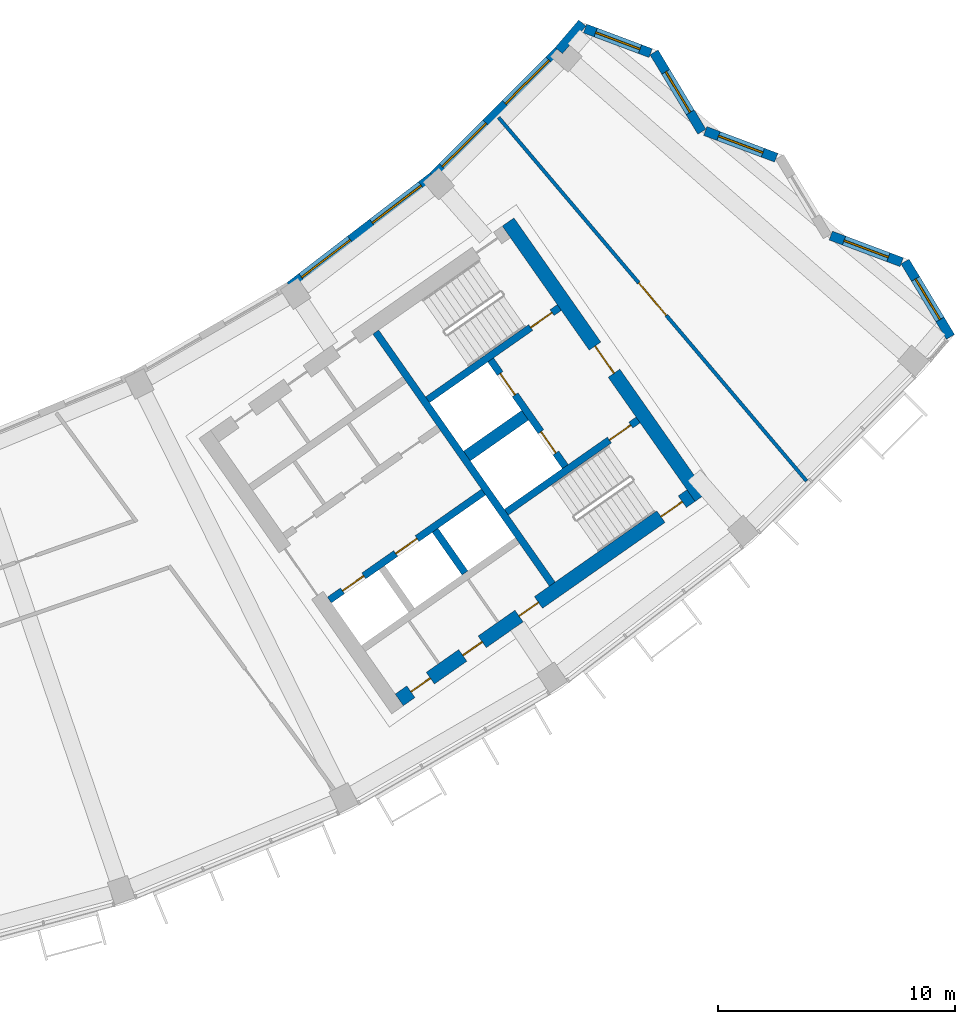
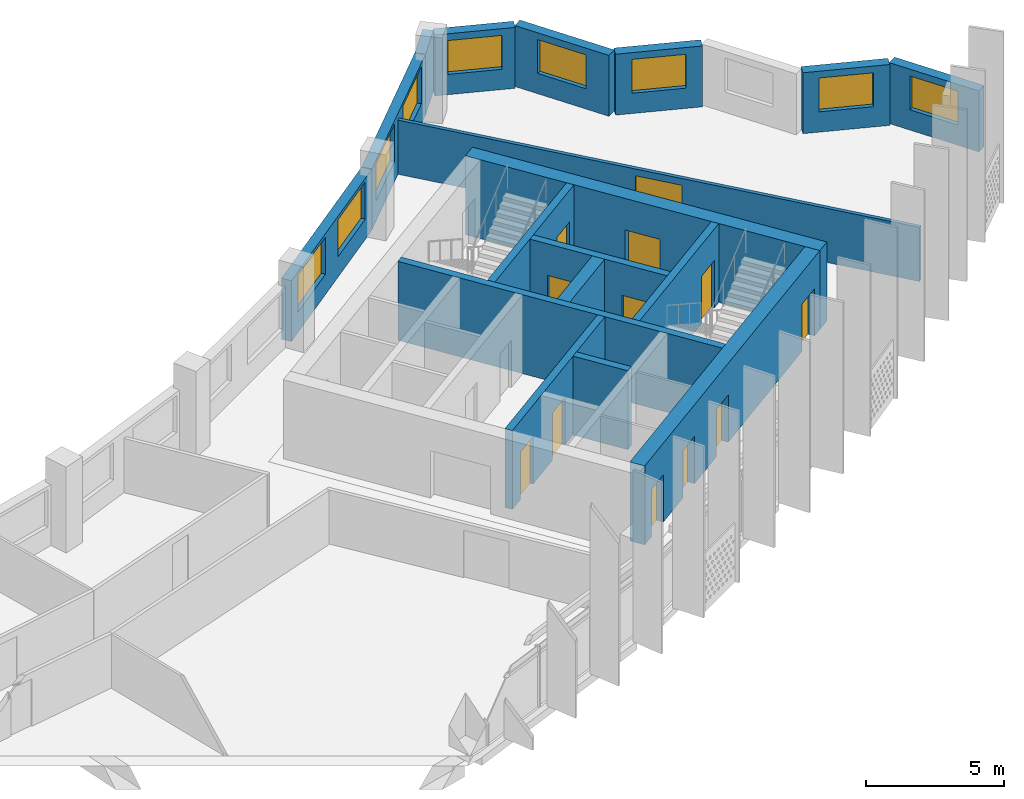
# One storey, part 7 of 28: 18 walls, 12 doors, 9 windows, 21 openings.
"""IFC4 building model written with IfcOpenShell, lengths in metres."""

import ifcopenshell
import ifcopenshell.guid

model = None  # the IFC model being written
_history = None  # IfcOwnerHistory: only IFC2X3 demands one
_inside = {}  # id of a spatial element -> (the spatial element, [elements in it])
_under = {}  # id of a project, library or spatial element -> (it, [spatial elements below it])
_declared = {}  # id of a project -> (the project, [libraries it declares])
_typed = {}  # id of a type object -> (the type object, [elements of that type])
_made_of = {}  # id of a material, layer set ... -> (it, [elements and type objects made of it])


def new_model(schema):
    """Start an empty IFC model of exactly this schema.

    Asked for "IFC4X3", IfcOpenShell would pick the latest addendum, in which some entities
    have other attributes; the version numbers below select the first issue.
    IFC2X3 requires an IfcOwnerHistory on every rooted entity: one is made here for all.
    """
    global model, _history
    if schema == "IFC4X3":
        model = ifcopenshell.file(schema_version=(4, 3, 0, 0))
    else:
        model = ifcopenshell.file(schema=schema)
    _inside.clear()
    _under.clear()
    _declared.clear()
    _typed.clear()
    _made_of.clear()
    _history = None
    if model.schema == "IFC2X3":
        org = make("IfcOrganization", Name="unknown")
        user = make(
            "IfcPersonAndOrganization",
            ThePerson=make("IfcPerson", FamilyName="unknown"),
            TheOrganization=org,
        )
        app = make(
            "IfcApplication",
            ApplicationDeveloper=org,
            Version="unknown",
            ApplicationFullName="unknown",
            ApplicationIdentifier="unknown",
        )
        _history = make(
            "IfcOwnerHistory",
            OwningUser=user,
            OwningApplication=app,
            ChangeAction="ADDED",
            CreationDate=0,
        )
    return model


def make(cls, **values):
    """One entity of the class cls with the attributes given. An attribute that is None is left unset."""
    return model.create_entity(
        cls, **{name: value for name, value in values.items() if value is not None}
    )


def rooted(cls, **values):
    """An entity with a GlobalId (a new one), such as an element, a storey or a relation."""
    return make(cls, GlobalId=ifcopenshell.guid.new(), OwnerHistory=_history, **values)


def si_unit(unit_type, name, prefix=None):
    """IfcSIUnit, for example si_unit("LENGTHUNIT", "METRE", prefix="MILLI")."""
    return make("IfcSIUnit", UnitType=unit_type, Prefix=prefix, Name=name)


def assignment(units):
    """IfcUnitAssignment: the units of a project."""
    return None if units is None else make("IfcUnitAssignment", Units=units)


def point(xyz):
    """IfcCartesianPoint."""
    return None if xyz is None else make("IfcCartesianPoint", Coordinates=xyz)


def direction(xyz):
    """IfcDirection."""
    return None if xyz is None else make("IfcDirection", DirectionRatios=xyz)


def frame(location, z_axis=None, x_axis=None):
    """IfcAxis2Placement3D, a coordinate frame: its origin and axes. An axis left out is left unset."""
    return make(
        "IfcAxis2Placement3D",
        Location=point(location),
        Axis=direction(z_axis),
        RefDirection=direction(x_axis),
    )


def frame_2d(location, x_axis=None):
    """IfcAxis2Placement2D, a coordinate frame in the plane: its origin and x axis."""
    return make(
        "IfcAxis2Placement2D", Location=point(location), RefDirection=direction(x_axis)
    )


def origin():
    """The frame at (0, 0, 0) with its axes left unset."""
    return frame((0.0, 0.0, 0.0))


def place(relative_to, where):
    """IfcLocalPlacement: puts the frame where relative to a parent placement (None: the world)."""
    return make(
        "IfcLocalPlacement", PlacementRelTo=relative_to, RelativePlacement=where
    )


def context(
    kind, dimensions, precision=None, world=None, true_north=None, identifier=None
):
    """IfcGeometricRepresentationContext, for example the 3D "Model" context."""
    return make(
        "IfcGeometricRepresentationContext",
        ContextIdentifier=identifier,
        ContextType=kind,
        CoordinateSpaceDimension=dimensions,
        Precision=precision,
        WorldCoordinateSystem=world,
        TrueNorth=true_north,
    )


def subcontext(parent, identifier, kind, view, scale=None):
    """IfcGeometricRepresentationSubContext, for example "Body" below "Model"."""
    return make(
        "IfcGeometricRepresentationSubContext",
        ContextIdentifier=identifier,
        ContextType=kind,
        ParentContext=parent,
        TargetScale=scale,
        TargetView=view,
    )


def project(units=None, contexts=None):
    """IfcProject with its units and contexts."""
    return rooted(
        "IfcProject",
        Name="project",
        RepresentationContexts=contexts,
        UnitsInContext=assignment(units),
    )


def spatial(cls, under=None, at=None, **own):
    """A site, building, storey or space (cls), placed at a placement, below another one or the project."""
    s = rooted(cls, ObjectPlacement=at, **own)
    if under is not None:
        _under.setdefault(under.id(), (under, []))[1].append(s)
    return s


def profile(cls, at=None, kind="AREA", **sizes):
    """A parametric profile (cls). Its sizes go by their IFC names, for example OverallWidth=200.0."""
    return make(cls, ProfileType=kind, Position=at, **sizes)


def rectangle(**sizes):
    """IfcRectangleProfileDef."""
    return profile("IfcRectangleProfileDef", **sizes)


def extrude(swept, where, along, depth):
    """IfcExtrudedAreaSolid: the profile swept, set in the frame where, extruded along a direction by depth."""
    return make(
        "IfcExtrudedAreaSolid",
        SweptArea=swept,
        Position=where,
        ExtrudedDirection=direction(along),
        Depth=depth,
    )


def shape(context_of_items, identifier, shape_type, items):
    """IfcShapeRepresentation: the items that make up one representation, for example the "Body"."""
    return make(
        "IfcShapeRepresentation",
        ContextOfItems=context_of_items,
        RepresentationIdentifier=identifier,
        RepresentationType=shape_type,
        Items=items,
    )


def material(Name=None, Category=None):
    """IfcMaterial."""
    return make("IfcMaterial", Name=Name, Category=Category)


def layer(
    of_material, thickness, ventilated=None, Name=None, Category=None, Priority=None
):
    """IfcMaterialLayer: one layer of a wall or slab, of a material (None: an air gap)."""
    return make(
        "IfcMaterialLayer",
        Material=of_material,
        LayerThickness=thickness,
        IsVentilated=ventilated,
        Name=Name,
        Category=Category,
        Priority=Priority,
    )


def layer_set(layers, Name=None):
    """IfcMaterialLayerSet."""
    return make("IfcMaterialLayerSet", MaterialLayers=layers, LayerSetName=Name)


def made_of(thing, what):
    """Note that an element or type object is made of a material, layer set ...; save() writes the relation."""
    if what is not None:
        _made_of.setdefault(what.id(), (what, []))[1].append(thing)
    return thing


def type_object(cls, material=None, **own):
    """A type object (cls), such as IfcWallType, which elements share."""
    return made_of(rooted(cls, **own), material)


def element(
    cls,
    number,
    at=None,
    inside=None,
    cuts=None,
    type_object=None,
    material=None,
    context=None,
    identifier="Body",
    shape_type=None,
    held_by="IfcProductDefinitionShape",
    body=None,
    shapes=None,
    **own,
):
    """One element of the class cls, such as IfcWall. Its Tag is "e" and its number.

    at: its placement. inside: the storey or other place that contains it. cuts: it is an
    opening in that element (IfcRelVoidsElement). A single representation is given by context,
    identifier, shape_type and body (its items); several are given by shapes. held_by: the class
    of the entity that holds the representations. save() writes the other relations.
    """
    e = rooted(cls, Tag="e%d" % number, ObjectPlacement=at, **own)
    if body is not None:
        shapes = [shape(context, identifier, shape_type, body)]
    if shapes is not None:
        e.Representation = make(held_by, Representations=shapes)
    if inside is not None:
        _inside.setdefault(inside.id(), (inside, []))[1].append(e)
    if cuts is not None:
        rooted(
            "IfcRelVoidsElement", RelatingBuildingElement=cuts, RelatedOpeningElement=e
        )
    if type_object is not None:
        _typed.setdefault(type_object.id(), (type_object, []))[1].append(e)
    return made_of(e, material)


def fill(opening, filler):
    """IfcRelFillsElement: the door or window that sits in an opening."""
    return rooted(
        "IfcRelFillsElement",
        RelatingOpeningElement=opening,
        RelatedBuildingElement=filler,
    )


def aggregate(whole, parts):
    """IfcRelAggregates: a whole, such as a stair, and the parts it consists of."""
    return rooted("IfcRelAggregates", RelatingObject=whole, RelatedObjects=parts)


def save(model, path):
    """Write the relations noted so far, then the file.

    IfcRelAggregates (storeys below a building ...), IfcRelContainedInSpatialStructure (elements
    in a storey), IfcRelDefinesByType, IfcRelAssociatesMaterial and IfcRelDeclares: one each for
    every whole, place, type object, material and project.
    """
    for whole, parts in _under.values():
        aggregate(whole, parts)
    for where, things in _inside.values():
        rooted(
            "IfcRelContainedInSpatialStructure",
            RelatedElements=things,
            RelatingStructure=where,
        )
    for kind, things in _typed.values():
        rooted("IfcRelDefinesByType", RelatedObjects=things, RelatingType=kind)
    for what, things in _made_of.values():
        rooted("IfcRelAssociatesMaterial", RelatedObjects=things, RelatingMaterial=what)
    for by, libraries in _declared.values():
        rooted("IfcRelDeclares", RelatingContext=by, RelatedDefinitions=libraries)
    model.write(path)


model = new_model("IFC4")

# Units and contexts
model_context = context("Model", 3, precision=1e-05, world=origin(), true_north=direction((0.0, 1.0)))
body_context = subcontext(model_context, "Body", "Model", "MODEL_VIEW")
ifc_project = project(units=[si_unit("LENGTHUNIT", "METRE"), si_unit("AREAUNIT", "SQUARE_METRE"), si_unit("VOLUMEUNIT", "CUBIC_METRE"), si_unit("PLANEANGLEUNIT", "RADIAN"), si_unit("MASSUNIT", "GRAM", prefix="KILO")], contexts=[model_context])

# Site, building, storey
site_placement = place(None, origin())
site = spatial("IfcSite", under=ifc_project, at=site_placement, CompositionType="ELEMENT")
building_placement = place(site_placement, origin())
building = spatial("IfcBuilding", under=site, at=building_placement, Name="Qamariyya Broadcast Tower", CompositionType="ELEMENT")
storey_placement = place(building_placement, frame((0.0, 0.0, 265.699951171875)))
storey = spatial("IfcBuildingStorey", under=building, at=storey_placement, Name="L64", CompositionType="ELEMENT", Elevation=265.699951171875)

# Wall, opening, door
ifc_material_1 = material(Name="Concrete C60/75", Category="concrete")
ifc_layer_1 = layer(ifc_material_1, 0.60009765625)
ifc_layer_set_1 = layer_set([ifc_layer_1], Name="Core wall 600 mm Concrete C60/75")
wall_type_1 = type_object("IfcWallType", Name="Core wall 600 mm Concrete C60/75", PredefinedType="SHEAR", material=ifc_layer_set_1)
wall_1_placement = place(storey_placement, frame((49.4833984375, -57.031494140625, 0.0), z_axis=(0.0, 0.0, 1.0), x_axis=(-0.573560421458, 0.819163257805, 0.0)))
wall_1 = element("IfcWall", 1, at=wall_1_placement, inside=storey, type_object=wall_type_1, Name="k-E-L64-WH", PredefinedType="SHEAR", context=body_context, shape_type="SweptSolid", body=[
    extrude(rectangle(XDim=14.199951171875, YDim=0.60009765625, at=frame_2d((7.10009765625, 0.0))), origin(), (0.0, 0.0, 1.0), 3.5),
])
opening_1_placement = place(wall_1_placement, frame((6.39990234375, 0.0, 0.0)))
opening_1 = element("IfcOpeningElement", 2, at=opening_1_placement, cuts=wall_1, Name="Opening KD2-E1", PredefinedType="OPENING", context=body_context, shape_type="SweptSolid", body=[
    extrude(rectangle(XDim=1.39990234375, YDim=2.10009765625, at=frame_2d((0.699951171875, 1.050048828125))), frame((0.0, 0.31005859375, 0.0), z_axis=(0.0, -1.0, 0.0), x_axis=(1.0, 0.0, 0.0)), (0.0, 0.0, 1.0), 0.6201171875),
])
ifc_material_2 = material(Name="Steel fire-resisting door leaf", Category="steel")
door_type_1 = type_object("IfcDoorType", Name="Fire-fighting lobby door KD2", OperationType="DOUBLE_DOOR_SINGLE_SWING", PredefinedType="DOOR", material=ifc_material_2)
door_1_placement = place(opening_1_placement, origin())
door_1 = element("IfcDoor", 3, at=door_1_placement, inside=storey, type_object=door_type_1, Name="k-E-L64-WH-D15", OperationType="DOUBLE_DOOR_SINGLE_SWING", OverallHeight=2.10009765625, OverallWidth=1.39990234375, PredefinedType="DOOR", context=body_context, shape_type="SweptSolid", body=[
    extrude(rectangle(XDim=1.39990234375, YDim=2.10009765625, at=frame_2d((0.699951171875, 1.050048828125))), frame((0.0, 0.02490234375, 0.0), z_axis=(0.0, -1.0, 0.0), x_axis=(1.0, 0.0, 0.0)), (0.0, 0.0, 1.0), 0.050048828125),
])
fill(opening_1, door_1)

# Wall, openings, doors
wall_2_placement = place(storey_placement, frame((36.7412109375, -65.58740234375, 0.0), z_axis=(0.0, 0.0, 1.0), x_axis=(0.819153391756, 0.573574511963, 0.0)))
wall_2 = element("IfcWall", 4, at=wall_2_placement, inside=storey, type_object=wall_type_1, Name="k-E-L64-WO", PredefinedType="SHEAR", context=body_context, shape_type="SweptSolid", body=[
    extrude(rectangle(XDim=15.04541015625, YDim=0.60009765625, at=frame_2d((7.522705078125, 0.0))), origin(), (0.0, 0.0, 1.0), 3.5),
])
opening_2_placement = place(wall_2_placement, frame((0.60009765625, 0.0, 0.0)))
opening_2 = element("IfcOpeningElement", 5, at=opening_2_placement, cuts=wall_2, Name="Opening KD4-E2", PredefinedType="OPENING", context=body_context, shape_type="SweptSolid", body=[
    extrude(rectangle(XDim=1.0, YDim=2.10009765625, at=frame_2d((0.5, 1.050048828125))), frame((0.0, 0.31005859375, 0.0), z_axis=(0.0, -1.0, 0.0), x_axis=(1.0, 0.0, 0.0)), (0.0, 0.0, 1.0), 0.6201171875),
])
opening_3_placement = place(wall_2_placement, frame((3.27490234375, 0.0, 0.0)))
opening_3 = element("IfcOpeningElement", 6, at=opening_3_placement, cuts=wall_2, Name="Opening KD4-E3", PredefinedType="OPENING", context=body_context, shape_type="SweptSolid", body=[
    extrude(rectangle(XDim=1.0, YDim=2.10009765625, at=frame_2d((0.5, 1.050048828125))), frame((0.0, 0.31005859375, 0.0), z_axis=(0.0, -1.0, 0.0), x_axis=(1.0, 0.0, 0.0)), (0.0, 0.0, 1.0), 0.6201171875),
])
opening_4_placement = place(wall_2_placement, frame((6.175048828125, 0.0, 0.0)))
opening_4 = element("IfcOpeningElement", 7, at=opening_4_placement, cuts=wall_2, Name="Opening KD4-E4", PredefinedType="OPENING", context=body_context, shape_type="SweptSolid", body=[
    extrude(rectangle(XDim=1.0, YDim=2.10009765625, at=frame_2d((0.5, 1.050048828125))), frame((0.0, 0.31005859375, 0.0), z_axis=(0.0, -1.0, 0.0), x_axis=(1.0, 0.0, 0.0)), (0.0, 0.0, 1.0), 0.6201171875),
])
opening_5_placement = place(wall_2_placement, frame((13.495361328125, 0.0, 0.0)))
opening_5 = element("IfcOpeningElement", 8, at=opening_5_placement, cuts=wall_2, Name="Opening KD1-E3", PredefinedType="OPENING", context=body_context, shape_type="SweptSolid", body=[
    extrude(rectangle(XDim=1.10009765625, YDim=2.10009765625, at=frame_2d((0.550048828125, 1.050048828125))), frame((0.0, 0.31005859375, 0.0), z_axis=(0.0, -1.0, 0.0), x_axis=(1.0, 0.0, 0.0)), (0.0, 0.0, 1.0), 0.6201171875),
])
door_type_2 = type_object("IfcDoorType", Name="Riser and plant door KD4", OperationType="SINGLE_SWING_LEFT", PredefinedType="DOOR", material=ifc_material_2)
door_2_placement = place(opening_2_placement, origin())
door_2 = element("IfcDoor", 9, at=door_2_placement, inside=storey, type_object=door_type_2, Name="k-E-L64-WO-D10", OperationType="SINGLE_SWING_RIGHT", OverallHeight=2.10009765625, OverallWidth=1.0, PredefinedType="DOOR", context=body_context, shape_type="SweptSolid", body=[
    extrude(rectangle(XDim=1.0, YDim=2.10009765625, at=frame_2d((0.5, 1.050048828125))), frame((0.0, 0.02490234375, 0.0), z_axis=(0.0, -1.0, 0.0), x_axis=(1.0, 0.0, 0.0)), (0.0, 0.0, 1.0), 0.050048828125),
])
fill(opening_2, door_2)
door_3_placement = place(opening_3_placement, origin())
door_3 = element("IfcDoor", 10, at=door_3_placement, inside=storey, type_object=door_type_2, Name="k-E-L64-WO-D11", OperationType="SINGLE_SWING_LEFT", OverallHeight=2.10009765625, OverallWidth=1.0, PredefinedType="DOOR", context=body_context, shape_type="SweptSolid", body=[
    extrude(rectangle(XDim=1.0, YDim=2.10009765625, at=frame_2d((0.5, 1.050048828125))), frame((0.0, 0.02490234375, 0.0), z_axis=(0.0, -1.0, 0.0), x_axis=(1.0, 0.0, 0.0)), (0.0, 0.0, 1.0), 0.050048828125),
])
fill(opening_3, door_3)
door_4_placement = place(opening_4_placement, origin())
door_4 = element("IfcDoor", 11, at=door_4_placement, inside=storey, type_object=door_type_2, Name="k-E-L64-WO-D12", OperationType="SINGLE_SWING_RIGHT", OverallHeight=2.10009765625, OverallWidth=1.0, PredefinedType="DOOR", context=body_context, shape_type="SweptSolid", body=[
    extrude(rectangle(XDim=1.0, YDim=2.10009765625, at=frame_2d((0.5, 1.050048828125))), frame((0.0, 0.02490234375, 0.0), z_axis=(0.0, -1.0, 0.0), x_axis=(1.0, 0.0, 0.0)), (0.0, 0.0, 1.0), 0.050048828125),
])
fill(opening_4, door_4)
door_type_3 = type_object("IfcDoorType", Name="Stair door KD1", OperationType="SINGLE_SWING_LEFT", PredefinedType="DOOR", material=ifc_material_2)
door_5_placement = place(opening_5_placement, origin())
door_5 = element("IfcDoor", 12, at=door_5_placement, inside=storey, type_object=door_type_3, Name="k-E-L64-WO-D18", OperationType="SINGLE_SWING_LEFT", OverallHeight=2.10009765625, OverallWidth=1.10009765625, PredefinedType="DOOR", context=body_context, shape_type="SweptSolid", body=[
    extrude(rectangle(XDim=1.10009765625, YDim=2.10009765625, at=frame_2d((0.550048828125, 1.050048828125))), frame((0.0, 0.02490234375, 0.0), z_axis=(0.0, -1.0, 0.0), x_axis=(1.0, 0.0, 0.0)), (0.0, 0.0, 1.0), 0.050048828125),
])
fill(opening_5, door_5)

# Wall, opening, door
ifc_material_3 = material(Name="Gypsum board partition")
ifc_layer_2 = layer(ifc_material_3, 0.14990234375)
ifc_layer_set_2 = layer_set([ifc_layer_2], Name="Corridor partition 150 EI 60")
wall_type_2 = type_object("IfcWallType", Name="Corridor partition 150 EI 60", PredefinedType="PARTITIONING", material=ifc_layer_set_2)
wall_3_placement = place(storey_placement, frame((40.93603515625, -40.982666015625, 0.0), z_axis=(0.0, 0.0, 1.0), x_axis=(0.646426079671, -0.76297662056, 0.0)))
wall_3 = element("IfcWall", 13, at=wall_3_placement, inside=storey, type_object=wall_type_2, Name="Partition L64-030", PredefinedType="PARTITIONING", context=body_context, shape_type="SweptSolid", body=[
    extrude(rectangle(XDim=20.1259765625, YDim=0.14990234375, at=frame_2d((10.06298828125, 0.0))), origin(), (0.0, 0.0, 1.0), 2.400146484375),
])
opening_6_placement = place(wall_3_placement, frame((9.1630859375, 0.0, 0.0)))
opening_6 = element("IfcOpeningElement", 14, at=opening_6_placement, cuts=wall_3, Name="Opening L64-D15", PredefinedType="OPENING", context=body_context, shape_type="SweptSolid", body=[
    extrude(rectangle(XDim=1.800048828125, YDim=2.10009765625, at=frame_2d((0.89990234375, 1.050048828125))), frame((0.0, 0.0849609375, 0.0), z_axis=(0.0, -1.0, 0.0), x_axis=(1.0, 0.0, 0.0)), (0.0, 0.0, 1.0), 0.169921875),
])
ifc_material_4 = material(Name="Timber fire door leaf", Category="wood")
door_type_4 = type_object("IfcDoorType", Name="Double fire door 1800 x 2100 FD60", OperationType="NOTDEFINED", PredefinedType="DOOR", material=ifc_material_4)
door_6_placement = place(opening_6_placement, origin())
door_6 = element("IfcDoor", 15, at=door_6_placement, inside=storey, type_object=door_type_4, Name="Door L64-D15", OperationType="DOUBLE_DOOR_SINGLE_SWING", OverallHeight=2.10009765625, OverallWidth=1.800048828125, PredefinedType="DOOR", context=body_context, shape_type="SweptSolid", body=[
    extrude(rectangle(XDim=1.800048828125, YDim=2.10009765625, at=frame_2d((0.89990234375, 1.050048828125))), frame((0.0, 0.02490234375, 0.0), z_axis=(0.0, -1.0, 0.0), x_axis=(1.0, 0.0, 0.0)), (0.0, 0.0, 1.0), 0.050048828125),
])
fill(opening_6, door_6)

# Walls
ifc_layer_3 = layer(ifc_material_1, 0.5)
ifc_layer_set_3 = layer_set([ifc_layer_3], Name="Fire-fighting lobby divider wall 500 mm Concrete C60/75")
wall_type_3 = type_object("IfcWallType", Name="Fire-fighting lobby divider wall 500 mm Concrete C60/75", PredefinedType="SOLIDWALL", material=ifc_layer_set_3)
wall_4_placement = place(storey_placement, frame((39.59912109375, -55.28515625, 0.0), z_axis=(0.0, 0.0, 1.0), x_axis=(0.819136323161, 0.573598887793, 0.0)))
element("IfcWall", 16, at=wall_4_placement, inside=storey, type_object=wall_type_3, Name="k-E-L64-FD", PredefinedType="SOLIDWALL", context=body_context, shape_type="SweptSolid", body=[
    extrude(rectangle(XDim=2.999755859375, YDim=0.5, at=frame_2d((1.5, 0.0))), origin(), (0.0, 0.0, 1.0), 3.5),
])
ifc_layer_4 = layer(ifc_material_1, 0.300048828125)
ifc_layer_set_4 = layer_set([ifc_layer_4], Name="Lift shaft wall 300 mm Concrete C60/75")
wall_type_4 = type_object("IfcWallType", Name="Lift shaft wall 300 mm Concrete C60/75", PredefinedType="SOLIDWALL", material=ifc_layer_set_4)
wall_5_placement = place(storey_placement, frame((43.204345703125, -60.69580078125, 0.0), z_axis=(0.0, 0.0, 1.0), x_axis=(-0.573571992966, 0.819155155563, 0.0)))
element("IfcWall", 17, at=wall_5_placement, inside=storey, type_object=wall_type_4, Name="k-E-L64-WL", PredefinedType="SOLIDWALL", context=body_context, shape_type="SweptSolid", body=[
    extrude(rectangle(XDim=13.000244140625, YDim=0.300048828125, at=frame_2d((6.5, 0.0))), origin(), (0.0, 0.0, 1.0), 3.5),
])

# Wall, openings, doors
wall_6_placement = place(storey_placement, frame((33.787353515625, -61.368896484375, 0.0), z_axis=(0.0, 0.0, 1.0), x_axis=(0.819152564888, 0.573575692858, 0.0)))
wall_6 = element("IfcWall", 18, at=wall_6_placement, inside=storey, type_object=wall_type_4, Name="k-E-L64-SF0", PredefinedType="SOLIDWALL", context=body_context, shape_type="SweptSolid", body=[
    extrude(rectangle(XDim=7.9501953125, YDim=0.300048828125, at=frame_2d((3.97509765625, 0.0))), origin(), (0.0, 0.0, 1.0), 3.5),
])
opening_7_placement = place(wall_6_placement, frame((0.675048828125, 0.0, 0.0)))
opening_7 = element("IfcOpeningElement", 19, at=opening_7_placement, cuts=wall_6, Name="Opening LD", PredefinedType="OPENING", context=body_context, shape_type="SweptSolid", body=[
    extrude(rectangle(XDim=1.10009765625, YDim=2.10009765625, at=frame_2d((0.550048828125, 1.050048828125))), frame((0.0, 0.159912109375, 0.0), z_axis=(0.0, -1.0, 0.0), x_axis=(1.0, 0.0, 0.0)), (0.0, 0.0, 1.0), 0.320068359375),
])
opening_8_placement = place(wall_6_placement, frame((3.425048828125, 0.0, 0.0)))
opening_8 = element("IfcOpeningElement", 20, at=opening_8_placement, cuts=wall_6, Name="Opening LD", PredefinedType="OPENING", context=body_context, shape_type="SweptSolid", body=[
    extrude(rectangle(XDim=1.10009765625, YDim=2.10009765625, at=frame_2d((0.550048828125, 1.050048828125))), frame((0.0, 0.159912109375, 0.0), z_axis=(0.0, -1.0, 0.0), x_axis=(1.0, 0.0, 0.0)), (0.0, 0.0, 1.0), 0.320068359375),
])
door_type_5 = type_object("IfcDoorType", Name="Lift landing door LD", OperationType="DOUBLE_DOOR_SLIDING", PredefinedType="DOOR", material=ifc_material_2)
door_7_placement = place(opening_7_placement, origin())
door_7 = element("IfcDoor", 21, at=door_7_placement, inside=storey, type_object=door_type_5, Name="k-E-L64-SF0-D5", OperationType="DOUBLE_DOOR_SLIDING", OverallHeight=2.10009765625, OverallWidth=1.10009765625, PredefinedType="DOOR", context=body_context, shape_type="SweptSolid", body=[
    extrude(rectangle(XDim=1.10009765625, YDim=2.10009765625, at=frame_2d((0.550048828125, 1.050048828125))), frame((0.0, 0.02490234375, 0.0), z_axis=(0.0, -1.0, 0.0), x_axis=(1.0, 0.0, 0.0)), (0.0, 0.0, 1.0), 0.050048828125),
])
fill(opening_7, door_7)
door_8_placement = place(opening_8_placement, origin())
door_8 = element("IfcDoor", 22, at=door_8_placement, inside=storey, type_object=door_type_5, Name="k-E-L64-SF0-D6", OperationType="DOUBLE_DOOR_SLIDING", OverallHeight=2.10009765625, OverallWidth=1.10009765625, PredefinedType="DOOR", context=body_context, shape_type="SweptSolid", body=[
    extrude(rectangle(XDim=1.10009765625, YDim=2.10009765625, at=frame_2d((0.550048828125, 1.050048828125))), frame((0.0, 0.02490234375, 0.0), z_axis=(0.0, -1.0, 0.0), x_axis=(1.0, 0.0, 0.0)), (0.0, 0.0, 1.0), 0.050048828125),
])
fill(opening_8, door_8)

# Wall
wall_7_placement = place(storey_placement, frame((38.255859375, -58.423095703125, 0.0), z_axis=(0.0, 0.0, 1.0), x_axis=(0.573633636671, -0.819111989218, 0.0)))
element("IfcWall", 23, at=wall_7_placement, inside=storey, type_object=wall_type_4, Name="k-E-L64-SD1", PredefinedType="SOLIDWALL", context=body_context, shape_type="SweptSolid", body=[
    extrude(rectangle(XDim=2.199951171875, YDim=0.300048828125, at=frame_2d((1.10009765625, 0.0))), origin(), (0.0, 0.0, 1.0), 3.5),
])

# Wall, opening, door
wall_8_placement = place(storey_placement, frame((37.935546875, -52.90966796875, 0.0), z_axis=(0.0, 0.0, 1.0), x_axis=(0.819147518138, 0.57358290031, 0.0)))
wall_8 = element("IfcWall", 24, at=wall_8_placement, inside=storey, type_object=wall_type_4, Name="k-E-L64-NW", PredefinedType="SOLIDWALL", context=body_context, shape_type="SweptSolid", body=[
    extrude(rectangle(XDim=6.79541015625, YDim=0.300048828125, at=frame_2d((3.397705078125, 0.0))), origin(), (0.0, 0.0, 1.0), 3.5),
])
opening_9_placement = place(wall_8_placement, frame((5.3203125, 0.0, 0.0)))
opening_9 = element("IfcOpeningElement", 25, at=opening_9_placement, cuts=wall_8, Name="Opening KD1-E2", PredefinedType="OPENING", context=body_context, shape_type="SweptSolid", body=[
    extrude(rectangle(XDim=1.10009765625, YDim=2.10009765625, at=frame_2d((0.550048828125, 1.050048828125))), frame((0.0, 0.159912109375, 0.0), z_axis=(0.0, -1.0, 0.0), x_axis=(1.0, 0.0, 0.0)), (0.0, 0.0, 1.0), 0.320068359375),
])
door_9_placement = place(opening_9_placement, origin())
door_9 = element("IfcDoor", 26, at=door_9_placement, inside=storey, type_object=door_type_3, Name="k-E-L64-NW-D17", OperationType="SINGLE_SWING_LEFT", OverallHeight=2.10009765625, OverallWidth=1.10009765625, PredefinedType="DOOR", context=body_context, shape_type="SweptSolid", body=[
    extrude(rectangle(XDim=1.10009765625, YDim=2.10009765625, at=frame_2d((0.550048828125, 1.050048828125))), frame((0.0, 0.02490234375, 0.0), z_axis=(0.0, -1.0, 0.0), x_axis=(1.0, 0.0, 0.0)), (0.0, 0.0, 1.0), 0.050048828125),
])
fill(opening_9, door_9)

wall_9_placement = place(storey_placement, frame((41.262451171875, -57.66064453125, 0.0), z_axis=(0.0, 0.0, 1.0), x_axis=(0.819164398642, 0.573558792102, 0.0)))
wall_9 = element("IfcWall", 27, at=wall_9_placement, inside=storey, type_object=wall_type_4, Name="k-E-L64-SW", PredefinedType="SOLIDWALL", context=body_context, shape_type="SweptSolid", body=[
    extrude(rectangle(XDim=6.795166015625, YDim=0.300048828125, at=frame_2d((3.3974609375, 0.0))), origin(), (0.0, 0.0, 1.0), 3.5),
])
opening_10_placement = place(wall_9_placement, frame((5.3203125, 0.0, 0.0)))
opening_10 = element("IfcOpeningElement", 28, at=opening_10_placement, cuts=wall_9, Name="Opening KD1-E4", PredefinedType="OPENING", context=body_context, shape_type="SweptSolid", body=[
    extrude(rectangle(XDim=1.10009765625, YDim=2.10009765625, at=frame_2d((0.550048828125, 1.050048828125))), frame((0.0, 0.159912109375, 0.0), z_axis=(0.0, -1.0, 0.0), x_axis=(1.0, 0.0, 0.0)), (0.0, 0.0, 1.0), 0.320068359375),
])
door_10_placement = place(opening_10_placement, origin())
door_10 = element("IfcDoor", 29, at=door_10_placement, inside=storey, type_object=door_type_3, Name="k-E-L64-SW-D19", OperationType="SINGLE_SWING_LEFT", OverallHeight=2.10009765625, OverallWidth=1.10009765625, PredefinedType="DOOR", context=body_context, shape_type="SweptSolid", body=[
    extrude(rectangle(XDim=1.10009765625, YDim=2.10009765625, at=frame_2d((0.550048828125, 1.050048828125))), frame((0.0, 0.02490234375, 0.0), z_axis=(0.0, -1.0, 0.0), x_axis=(1.0, 0.0, 0.0)), (0.0, 0.0, 1.0), 0.050048828125),
])
fill(opening_10, door_10)

# Wall, openings, doors
wall_10_placement = place(storey_placement, frame((43.756591796875, -55.731201171875, 0.0), z_axis=(0.0, 0.0, 1.0), x_axis=(-0.573536818435, 0.819179783625, 0.0)))
wall_10 = element("IfcWall", 30, at=wall_10_placement, inside=storey, type_object=wall_type_4, Name="k-E-L64-FF", PredefinedType="SOLIDWALL", context=body_context, shape_type="SweptSolid", body=[
    extrude(rectangle(XDim=5.500244140625, YDim=0.300048828125, at=frame_2d((2.75, 0.0))), origin(), (0.0, 0.0, 1.0), 3.5),
])
opening_11_placement = place(wall_10_placement, frame((0.699951171875, 0.0, 0.0)))
opening_11 = element("IfcOpeningElement", 31, at=opening_11_placement, cuts=wall_10, Name="Opening LD", PredefinedType="OPENING", context=body_context, shape_type="SweptSolid", body=[
    extrude(rectangle(XDim=1.10009765625, YDim=2.10009765625, at=frame_2d((0.550048828125, 1.050048828125))), frame((0.0, 0.159912109375, 0.0), z_axis=(0.0, -1.0, 0.0), x_axis=(1.0, 0.0, 0.0)), (0.0, 0.0, 1.0), 0.320068359375),
])
opening_12_placement = place(wall_10_placement, frame((3.699951171875, 0.0, 0.0)))
opening_12 = element("IfcOpeningElement", 32, at=opening_12_placement, cuts=wall_10, Name="Opening LD", PredefinedType="OPENING", context=body_context, shape_type="SweptSolid", body=[
    extrude(rectangle(XDim=1.10009765625, YDim=2.10009765625, at=frame_2d((0.550048828125, 1.050048828125))), frame((0.0, 0.159912109375, 0.0), z_axis=(0.0, -1.0, 0.0), x_axis=(1.0, 0.0, 0.0)), (0.0, 0.0, 1.0), 0.320068359375),
])
door_11_placement = place(opening_11_placement, origin())
door_11 = element("IfcDoor", 33, at=door_11_placement, inside=storey, type_object=door_type_5, Name="k-E-L64-FF-D13", OperationType="DOUBLE_DOOR_SLIDING", OverallHeight=2.10009765625, OverallWidth=1.10009765625, PredefinedType="DOOR", context=body_context, shape_type="SweptSolid", body=[
    extrude(rectangle(XDim=1.10009765625, YDim=2.10009765625, at=frame_2d((0.550048828125, 1.050048828125))), frame((0.0, 0.02490234375, 0.0), z_axis=(0.0, -1.0, 0.0), x_axis=(1.0, 0.0, 0.0)), (0.0, 0.0, 1.0), 0.050048828125),
])
fill(opening_11, door_11)
door_12_placement = place(opening_12_placement, origin())
door_12 = element("IfcDoor", 34, at=door_12_placement, inside=storey, type_object=door_type_5, Name="k-E-L64-FF-D14", OperationType="DOUBLE_DOOR_SLIDING", OverallHeight=2.10009765625, OverallWidth=1.10009765625, PredefinedType="DOOR", context=body_context, shape_type="SweptSolid", body=[
    extrude(rectangle(XDim=1.10009765625, YDim=2.10009765625, at=frame_2d((0.550048828125, 1.050048828125))), frame((0.0, 0.02490234375, 0.0), z_axis=(0.0, -1.0, 0.0), x_axis=(1.0, 0.0, 0.0)), (0.0, 0.0, 1.0), 0.050048828125),
])
fill(opening_12, door_12)

# Wall, opening, window
ifc_material_5 = material(Name="Terracotta", Category="masonry")
ifc_layer_5 = layer(ifc_material_5, 0.39990234375)
ifc_layer_set_5 = layer_set([ifc_layer_5], Name="Terracotta clad wall 400")
wall_type_5 = type_object("IfcWallType", Name="Terracotta clad wall 400", PredefinedType="SOLIDWALL", material=ifc_layer_set_5)
wall_11_placement = place(storey_placement, frame((60.026123046875, -50.2529296875, 0.0), z_axis=(0.0, 0.0, 1.0), x_axis=(-0.516156033258, 0.856494570521, 0.0)))
wall_11 = element("IfcWall", 35, at=wall_11_placement, inside=storey, type_object=wall_type_5, Name="e-wl-L64-capE0", PredefinedType="SOLIDWALL", context=body_context, shape_type="SweptSolid", body=[
    extrude(rectangle(XDim=3.71728515625, YDim=0.39990234375, at=frame_2d((1.858642578125, 0.0))), origin(), (0.0, 0.0, 1.0), 2.699951171875),
])
opening_13_placement = place(wall_11_placement, frame((0.858642578125, 0.0, 0.89990234375)))
opening_13 = element("IfcOpeningElement", 36, at=opening_13_placement, cuts=wall_11, Name="Opening W4", PredefinedType="OPENING", context=body_context, shape_type="SweptSolid", body=[
    extrude(rectangle(XDim=2.0, YDim=1.5, at=frame_2d((1.0, 0.75))), frame((0.0, 0.2099609375, 0.0), z_axis=(0.0, -1.0, 0.0), x_axis=(1.0, 0.0, 0.0)), (0.0, 0.0, 1.0), 0.419921875),
])
ifc_material_6 = material(Name="Clear low-e double glazed unit in aluminium frame", Category="aluminium")
window_type_1 = type_object("IfcWindowType", Name="Horn bay window 2000 x 1500", PartitioningType="SINGLE_PANEL", PredefinedType="WINDOW", material=ifc_material_6)
window_1_placement = place(opening_13_placement, origin())
window_1 = element("IfcWindow", 37, at=window_1_placement, inside=storey, type_object=window_type_1, Name="e-w-L64-capE0", OverallHeight=1.5, OverallWidth=2.0, PartitioningType="SINGLE_PANEL", PredefinedType="WINDOW", context=body_context, shape_type="SweptSolid", body=[
    extrude(rectangle(XDim=2.0, YDim=1.5, at=frame_2d((1.0, 0.75))), frame((0.0, 0.030029296875, 0.0), z_axis=(0.0, -1.0, 0.0), x_axis=(1.0, 0.0, 0.0)), (0.0, 0.0, 1.0), 0.06005859375),
])
fill(opening_13, window_1)

wall_12_placement = place(storey_placement, frame((57.96435546875, -47.09814453125, 0.0), z_axis=(0.0, 0.0, 1.0), x_axis=(-0.936253909286, 0.351324091612, 0.0)))
wall_12 = element("IfcWall", 38, at=wall_12_placement, inside=storey, type_object=wall_type_5, Name="e-wl-L64-capE1", PredefinedType="SOLIDWALL", context=body_context, shape_type="SweptSolid", body=[
    extrude(rectangle(XDim=3.2001953125, YDim=0.39990234375, at=frame_2d((1.60009765625, 0.0))), origin(), (0.0, 0.0, 1.0), 2.699951171875),
])
opening_14_placement = place(wall_12_placement, frame((0.60009765625, 0.0, 0.89990234375)))
opening_14 = element("IfcOpeningElement", 39, at=opening_14_placement, cuts=wall_12, Name="Opening W4", PredefinedType="OPENING", context=body_context, shape_type="SweptSolid", body=[
    extrude(rectangle(XDim=2.0, YDim=1.5, at=frame_2d((1.0, 0.75))), frame((0.0, 0.2099609375, 0.0), z_axis=(0.0, -1.0, 0.0), x_axis=(1.0, 0.0, 0.0)), (0.0, 0.0, 1.0), 0.419921875),
])
window_2_placement = place(opening_14_placement, origin())
window_2 = element("IfcWindow", 40, at=window_2_placement, inside=storey, type_object=window_type_1, Name="e-w-L64-capE1", OverallHeight=1.5, OverallWidth=2.0, PartitioningType="SINGLE_PANEL", PredefinedType="WINDOW", context=body_context, shape_type="SweptSolid", body=[
    extrude(rectangle(XDim=2.0, YDim=1.5, at=frame_2d((1.0, 0.75))), frame((0.0, 0.030029296875, 0.0), z_axis=(0.0, -1.0, 0.0), x_axis=(1.0, 0.0, 0.0)), (0.0, 0.0, 1.0), 0.06005859375),
])
fill(opening_14, window_2)

wall_13_placement = place(storey_placement, frame((52.662353515625, -42.68115234375, 0.0), z_axis=(0.0, 0.0, 1.0), x_axis=(-0.936275852689, 0.351265608438, 0.0)))
wall_13 = element("IfcWall", 41, at=wall_13_placement, inside=storey, type_object=wall_type_5, Name="e-wl-L64-capE3", PredefinedType="SOLIDWALL", context=body_context, shape_type="SweptSolid", body=[
    extrude(rectangle(XDim=3.19921875, YDim=0.39990234375, at=frame_2d((1.599609375, 0.0))), origin(), (0.0, 0.0, 1.0), 2.699951171875),
])
opening_15_placement = place(wall_13_placement, frame((0.599609375, 0.0, 0.89990234375)))
opening_15 = element("IfcOpeningElement", 42, at=opening_15_placement, cuts=wall_13, Name="Opening W4", PredefinedType="OPENING", context=body_context, shape_type="SweptSolid", body=[
    extrude(rectangle(XDim=2.0, YDim=1.5, at=frame_2d((1.0, 0.75))), frame((0.0, 0.2099609375, 0.0), z_axis=(0.0, -1.0, 0.0), x_axis=(1.0, 0.0, 0.0)), (0.0, 0.0, 1.0), 0.419921875),
])
window_3_placement = place(opening_15_placement, origin())
window_3 = element("IfcWindow", 43, at=window_3_placement, inside=storey, type_object=window_type_1, Name="e-w-L64-capE3", OverallHeight=1.5, OverallWidth=2.0, PartitioningType="SINGLE_PANEL", PredefinedType="WINDOW", context=body_context, shape_type="SweptSolid", body=[
    extrude(rectangle(XDim=2.0, YDim=1.5, at=frame_2d((1.0, 0.75))), frame((0.0, 0.030029296875, 0.0), z_axis=(0.0, -1.0, 0.0), x_axis=(1.0, 0.0, 0.0)), (0.0, 0.0, 1.0), 0.06005859375),
])
fill(opening_15, window_3)

wall_14_placement = place(storey_placement, frame((49.52392578125, -41.586669921875, 0.0), z_axis=(0.0, 0.0, 1.0), x_axis=(-0.516310930751, 0.856401204335, 0.0)))
wall_14 = element("IfcWall", 44, at=wall_14_placement, inside=storey, type_object=wall_type_5, Name="e-wl-L64-capE4", PredefinedType="SOLIDWALL", context=body_context, shape_type="SweptSolid", body=[
    extrude(rectangle(XDim=3.913818359375, YDim=0.39990234375, at=frame_2d((1.95703125, 0.0))), origin(), (0.0, 0.0, 1.0), 2.699951171875),
])
opening_16_placement = place(wall_14_placement, frame((0.95703125, 0.0, 0.89990234375)))
opening_16 = element("IfcOpeningElement", 45, at=opening_16_placement, cuts=wall_14, Name="Opening W4", PredefinedType="OPENING", context=body_context, shape_type="SweptSolid", body=[
    extrude(rectangle(XDim=2.0, YDim=1.5, at=frame_2d((1.0, 0.75))), frame((0.0, 0.2099609375, 0.0), z_axis=(0.0, -1.0, 0.0), x_axis=(1.0, 0.0, 0.0)), (0.0, 0.0, 1.0), 0.419921875),
])
window_4_placement = place(opening_16_placement, origin())
window_4 = element("IfcWindow", 46, at=window_4_placement, inside=storey, type_object=window_type_1, Name="e-w-L64-capE4", OverallHeight=1.5, OverallWidth=2.0, PartitioningType="SINGLE_PANEL", PredefinedType="WINDOW", context=body_context, shape_type="SweptSolid", body=[
    extrude(rectangle(XDim=2.0, YDim=1.5, at=frame_2d((1.0, 0.75))), frame((0.0, 0.030029296875, 0.0), z_axis=(0.0, -1.0, 0.0), x_axis=(1.0, 0.0, 0.0)), (0.0, 0.0, 1.0), 0.06005859375),
])
fill(opening_16, window_4)

wall_15_placement = place(storey_placement, frame((47.35986328125, -38.263916015625, 0.0), z_axis=(0.0, 0.0, 1.0), x_axis=(-0.936325786994, 0.351132482989, 0.0)))
wall_15 = element("IfcWall", 47, at=wall_15_placement, inside=storey, type_object=wall_type_5, Name="e-wl-L64-capE5", PredefinedType="SOLIDWALL", context=body_context, shape_type="SweptSolid", body=[
    extrude(rectangle(XDim=2.959228515625, YDim=0.39990234375, at=frame_2d((1.4794921875, 0.0))), origin(), (0.0, 0.0, 1.0), 2.699951171875),
])
opening_17_placement = place(wall_15_placement, frame((0.4794921875, 0.0, 0.89990234375)))
opening_17 = element("IfcOpeningElement", 48, at=opening_17_placement, cuts=wall_15, Name="Opening W4", PredefinedType="OPENING", context=body_context, shape_type="SweptSolid", body=[
    extrude(rectangle(XDim=2.0, YDim=1.5, at=frame_2d((1.0, 0.75))), frame((0.0, 0.2099609375, 0.0), z_axis=(0.0, -1.0, 0.0), x_axis=(1.0, 0.0, 0.0)), (0.0, 0.0, 1.0), 0.419921875),
])
window_5_placement = place(opening_17_placement, origin())
window_5 = element("IfcWindow", 49, at=window_5_placement, inside=storey, type_object=window_type_1, Name="e-w-L64-capE5", OverallHeight=1.5, OverallWidth=2.0, PartitioningType="SINGLE_PANEL", PredefinedType="WINDOW", context=body_context, shape_type="SweptSolid", body=[
    extrude(rectangle(XDim=2.0, YDim=1.5, at=frame_2d((1.0, 0.75))), frame((0.0, 0.030029296875, 0.0), z_axis=(0.0, -1.0, 0.0), x_axis=(1.0, 0.0, 0.0)), (0.0, 0.0, 1.0), 0.06005859375),
])
fill(opening_17, window_5)

# Wall, openings, windows
wall_16_placement = place(storey_placement, frame((38.163330078125, -43.47900390625, 0.0), z_axis=(0.0, 0.0, 1.0), x_axis=(-0.793347844099, -0.608768591719, 0.0)))
wall_16 = element("IfcWall", 50, at=wall_16_placement, inside=storey, type_object=wall_type_5, Name="e-wl-L64-in120", PredefinedType="SOLIDWALL", context=body_context, shape_type="SweptSolid", body=[
    extrude(rectangle(XDim=7.617431640625, YDim=0.39990234375, at=frame_2d((3.80859375, 0.0))), origin(), (0.0, 0.0, 1.0), 2.699951171875),
])
opening_18_placement = place(wall_16_placement, frame((4.393798828125, 0.0, 0.89990234375)))
opening_18 = element("IfcOpeningElement", 51, at=opening_18_placement, cuts=wall_16, Name="Opening W1", PredefinedType="OPENING", context=body_context, shape_type="SweptSolid", body=[
    extrude(rectangle(XDim=2.60009765625, YDim=1.64990234375, at=frame_2d((1.300048828125, 0.824951171875))), frame((0.0, 0.2099609375, 0.0), z_axis=(0.0, -1.0, 0.0), x_axis=(1.0, 0.0, 0.0)), (0.0, 0.0, 1.0), 0.419921875),
])
opening_19_placement = place(wall_16_placement, frame((0.623291015625, 0.0, 0.89990234375)))
opening_19 = element("IfcOpeningElement", 52, at=opening_19_placement, cuts=wall_16, Name="Opening W1", PredefinedType="OPENING", context=body_context, shape_type="SweptSolid", body=[
    extrude(rectangle(XDim=2.60009765625, YDim=1.64990234375, at=frame_2d((1.300048828125, 0.824951171875))), frame((0.0, 0.2099609375, 0.0), z_axis=(0.0, -1.0, 0.0), x_axis=(1.0, 0.0, 0.0)), (0.0, 0.0, 1.0), 0.419921875),
])
window_type_2 = type_object("IfcWindowType", Name="Ribbon window 2600 x 1650", PartitioningType="SINGLE_PANEL", PredefinedType="WINDOW", material=ifc_material_6)
window_6_placement = place(opening_18_placement, origin())
window_6 = element("IfcWindow", 53, at=window_6_placement, inside=storey, type_object=window_type_2, Name="e-w-L64-in12-0", OverallHeight=1.64990234375, OverallWidth=2.60009765625, PartitioningType="SINGLE_PANEL", PredefinedType="WINDOW", context=body_context, shape_type="SweptSolid", body=[
    extrude(rectangle(XDim=2.60009765625, YDim=1.64990234375, at=frame_2d((1.300048828125, 0.824951171875))), frame((0.0, 0.030029296875, 0.0), z_axis=(0.0, -1.0, 0.0), x_axis=(1.0, 0.0, 0.0)), (0.0, 0.0, 1.0), 0.06005859375),
])
fill(opening_18, window_6)
window_7_placement = place(opening_19_placement, origin())
window_7 = element("IfcWindow", 54, at=window_7_placement, inside=storey, type_object=window_type_2, Name="e-w-L64-in12-1", OverallHeight=1.64990234375, OverallWidth=2.60009765625, PartitioningType="SINGLE_PANEL", PredefinedType="WINDOW", context=body_context, shape_type="SweptSolid", body=[
    extrude(rectangle(XDim=2.60009765625, YDim=1.64990234375, at=frame_2d((1.300048828125, 0.824951171875))), frame((0.0, 0.030029296875, 0.0), z_axis=(0.0, -1.0, 0.0), x_axis=(1.0, 0.0, 0.0)), (0.0, 0.0, 1.0), 0.06005859375),
])
fill(opening_19, window_7)

wall_17_placement = place(storey_placement, frame((43.468994140625, -38.168701171875, 0.0), z_axis=(0.0, 0.0, 1.0), x_axis=(-0.707106781187, -0.707106781187, 0.0)))
wall_17 = element("IfcWall", 55, at=wall_17_placement, inside=storey, type_object=wall_type_5, Name="e-wl-L64-in130", PredefinedType="SOLIDWALL", context=body_context, shape_type="SweptSolid", body=[
    extrude(rectangle(XDim=7.48095703125, YDim=0.39990234375, at=frame_2d((3.740478515625, 0.0))), origin(), (0.0, 0.0, 1.0), 2.699951171875),
])
opening_20_placement = place(wall_17_placement, frame((4.3330078125, 0.0, 0.89990234375)))
opening_20 = element("IfcOpeningElement", 56, at=opening_20_placement, cuts=wall_17, Name="Opening W1", PredefinedType="OPENING", context=body_context, shape_type="SweptSolid", body=[
    extrude(rectangle(XDim=2.60009765625, YDim=1.64990234375, at=frame_2d((1.300048828125, 0.824951171875))), frame((0.0, 0.2099609375, 0.0), z_axis=(0.0, -1.0, 0.0), x_axis=(1.0, 0.0, 0.0)), (0.0, 0.0, 1.0), 0.419921875),
])
opening_21_placement = place(wall_17_placement, frame((0.562744140625, 0.0, 0.89990234375)))
opening_21 = element("IfcOpeningElement", 57, at=opening_21_placement, cuts=wall_17, Name="Opening W1", PredefinedType="OPENING", context=body_context, shape_type="SweptSolid", body=[
    extrude(rectangle(XDim=2.60009765625, YDim=1.64990234375, at=frame_2d((1.300048828125, 0.824951171875))), frame((0.0, 0.2099609375, 0.0), z_axis=(0.0, -1.0, 0.0), x_axis=(1.0, 0.0, 0.0)), (0.0, 0.0, 1.0), 0.419921875),
])
window_8_placement = place(opening_20_placement, origin())
window_8 = element("IfcWindow", 58, at=window_8_placement, inside=storey, type_object=window_type_2, Name="e-w-L64-in13-0", OverallHeight=1.64990234375, OverallWidth=2.60009765625, PartitioningType="SINGLE_PANEL", PredefinedType="WINDOW", context=body_context, shape_type="SweptSolid", body=[
    extrude(rectangle(XDim=2.60009765625, YDim=1.64990234375, at=frame_2d((1.300048828125, 0.824951171875))), frame((0.0, 0.030029296875, 0.0), z_axis=(0.0, -1.0, 0.0), x_axis=(1.0, 0.0, 0.0)), (0.0, 0.0, 1.0), 0.06005859375),
])
fill(opening_20, window_8)
window_9_placement = place(opening_21_placement, origin())
window_9 = element("IfcWindow", 59, at=window_9_placement, inside=storey, type_object=window_type_2, Name="e-w-L64-in13-1", OverallHeight=1.64990234375, OverallWidth=2.60009765625, PartitioningType="SINGLE_PANEL", PredefinedType="WINDOW", context=body_context, shape_type="SweptSolid", body=[
    extrude(rectangle(XDim=2.60009765625, YDim=1.64990234375, at=frame_2d((1.300048828125, 0.824951171875))), frame((0.0, 0.030029296875, 0.0), z_axis=(0.0, -1.0, 0.0), x_axis=(1.0, 0.0, 0.0)), (0.0, 0.0, 1.0), 0.06005859375),
])
fill(opening_21, window_9)

# Wall
wall_18_placement = place(storey_placement, frame((44.474609375, -36.99609375, 0.0), z_axis=(0.0, 0.0, 1.0), x_axis=(-0.649804948836, -0.76010099886, 0.0)))
element("IfcWall", 60, at=wall_18_placement, inside=storey, type_object=wall_type_5, Name="e-wl-L64-in140", PredefinedType="SOLIDWALL", context=body_context, shape_type="SweptSolid", body=[
    extrude(rectangle(XDim=1.529541015625, YDim=0.39990234375, at=frame_2d((0.7646484375, 0.0))), origin(), (0.0, 0.0, 1.0), 2.699951171875),
])

save(model, "model.ifc")
